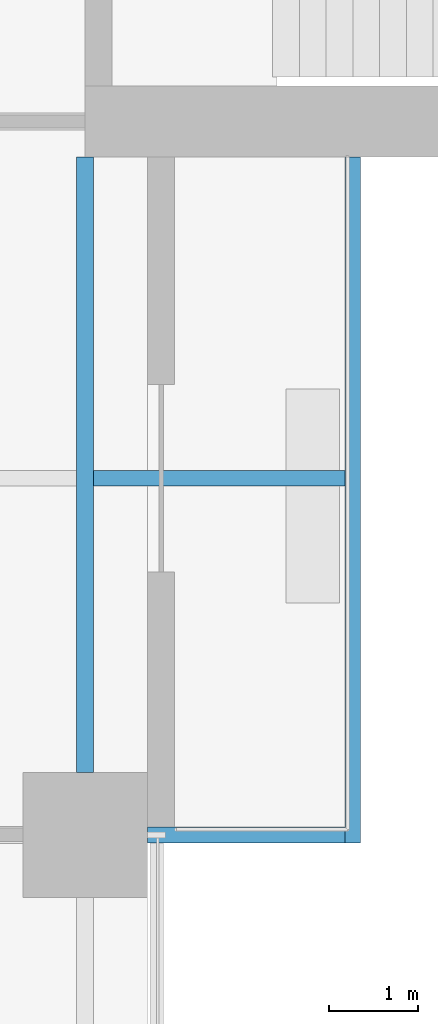
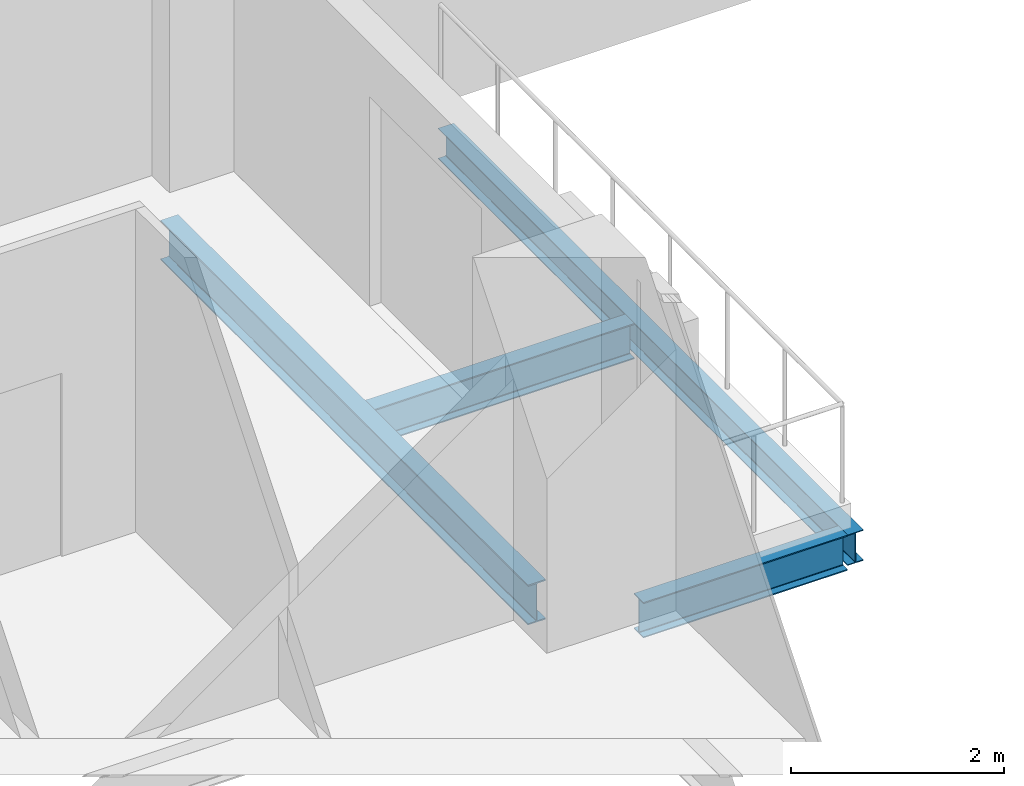
# One storey, part 5 of 27: 4 beams.
"""IFC4 building model written with IfcOpenShell, lengths in metres."""

from ifc_helpers import new_model, si_unit, direction, frame, origin, origin_2d, place, context, subcontext, project, spatial, i_section, extrude, material, material_profile, profile_set, type_object, element, save


model = new_model("IFC4")

# Units and contexts
model_context = context("Model", 3, precision=1e-05, world=origin(), true_north=direction((0.0, 1.0)))
body_context = subcontext(model_context, "Body", "Model", "MODEL_VIEW")
ifc_project = project(units=[si_unit("LENGTHUNIT", "METRE"), si_unit("AREAUNIT", "SQUARE_METRE"), si_unit("VOLUMEUNIT", "CUBIC_METRE"), si_unit("PLANEANGLEUNIT", "RADIAN"), si_unit("MASSUNIT", "GRAM", prefix="KILO")], contexts=[model_context])

# Site, building, storey
site_placement = place(None, origin())
site = spatial("IfcSite", under=ifc_project, at=site_placement, CompositionType="ELEMENT")
building_placement = place(site_placement, origin())
building = spatial("IfcBuilding", under=site, at=building_placement, Name="Crosswind Convention Tower", CompositionType="ELEMENT")
storey_placement = place(building_placement, frame((0.0, 0.0, 72.0)))
storey = spatial("IfcBuildingStorey", under=building, at=storey_placement, Name="L12", CompositionType="ELEMENT", Elevation=72.0)

# Beams
ifc_material = material(Name="Steel S355", Category="steel")
ifc_material_profile_1 = material_profile(ifc_material, i_section(OverallWidth=0.177734375, OverallDepth=0.406494140625, WebThickness=0.0078125, FlangeThickness=0.0126953125, FilletRadius=0.01025390625, at=origin_2d()), Name="UB 406x178x60")
ifc_profile_set_1 = profile_set([ifc_material_profile_1], Name="Steel S355")
beam_type_1 = type_object("IfcBeamType", Name="Balcony cantilever UB 406x178x60", PredefinedType="BEAM", material=ifc_profile_set_1)
beam_1_placement = place(storey_placement, frame((137.09521484375, 84.0, -0.483154296875), z_axis=(1.0, 0.0, 0.0), x_axis=(0.0, 1.0, 0.0)))
element("IfcBeam", 1, at=beam_1_placement, inside=storey, type_object=beam_type_1, Name="B35 L12 balcony cantilever SE 10", PredefinedType="BEAM", context=body_context, shape_type="SweptSolid", body=[
    extrude(i_section(OverallWidth=0.177734375, OverallDepth=0.406494140625, WebThickness=0.0078125, FlangeThickness=0.0126953125, FilletRadius=0.01025390625, at=origin_2d()), origin(), (0.0, 0.0, 1.0), 2.8193359375),
])
beam_2_placement = place(storey_placement, frame((137.699951171875, 80.0, -0.483154296875), z_axis=(1.0, 0.0, 0.0), x_axis=(0.0, 1.0, 0.0)))
element("IfcBeam", 2, at=beam_2_placement, inside=storey, type_object=beam_type_1, Name="B35 L12 balcony cantilever SE 11", PredefinedType="BEAM", context=body_context, shape_type="SweptSolid", body=[
    extrude(i_section(OverallWidth=0.177734375, OverallDepth=0.406494140625, WebThickness=0.0078125, FlangeThickness=0.0126953125, FilletRadius=0.01025390625, at=origin_2d()), origin(), (0.0, 0.0, 1.0), 2.214599609375),
])
ifc_material_profile_2 = material_profile(ifc_material, i_section(OverallWidth=0.1708984375, OverallDepth=0.35205078125, WebThickness=0.0068359375, FlangeThickness=0.009765625, FilletRadius=0.01025390625, at=origin_2d()), Name="UB 356x171x45")
ifc_profile_set_2 = profile_set([ifc_material_profile_2], Name="Steel S355")
beam_type_2 = type_object("IfcBeamType", Name="Balcony edge beam UB 356x171x45", PredefinedType="BEAM", material=ifc_profile_set_2)
beam_3_placement = place(storey_placement, frame((140.0, 87.60009765625, -0.4560546875), z_axis=(0.0, -1.0, 0.0), x_axis=(1.0, 0.0, 0.0)))
element("IfcBeam", 3, at=beam_3_placement, inside=storey, type_object=beam_type_2, Name="B37 L12 balcony edge beam SE 12", PredefinedType="BEAM", context=body_context, shape_type="SweptSolid", body=[
    extrude(i_section(OverallWidth=0.1708984375, OverallDepth=0.35205078125, WebThickness=0.0068359375, FlangeThickness=0.009765625, FilletRadius=0.01025390625, at=origin_2d()), origin(), (0.0, 0.0, 1.0), 7.68896484375),
])
ifc_material_profile_3 = material_profile(ifc_material, i_section(OverallWidth=0.1904296875, OverallDepth=0.457275390625, WebThickness=0.009033203125, FlangeThickness=0.014404296875, FilletRadius=0.01025390625, at=origin_2d()), Name="UB 457x191x75")
ifc_profile_set_3 = profile_set([ifc_material_profile_3], Name="Steel S355")
beam_type_3 = type_object("IfcBeamType", Name="Edge beam UB 457x191x75", PredefinedType="SPANDREL", material=ifc_profile_set_3)
beam_4_placement = place(storey_placement, frame((137.0, 80.699951171875, -0.508544921875), z_axis=(0.0, 1.0, 0.0), x_axis=(-1.0, 0.0, 0.0)))
element("IfcBeam", 4, at=beam_4_placement, inside=storey, type_object=beam_type_3, Name="B17 L12 edge beam 20", PredefinedType="SPANDREL", context=body_context, shape_type="SweptSolid", body=[
    extrude(i_section(OverallWidth=0.1904296875, OverallDepth=0.457275390625, WebThickness=0.009033203125, FlangeThickness=0.014404296875, FilletRadius=0.01025390625, at=origin_2d()), origin(), (0.0, 0.0, 1.0), 6.900146484375),
])

save(model, "model.ifc")
